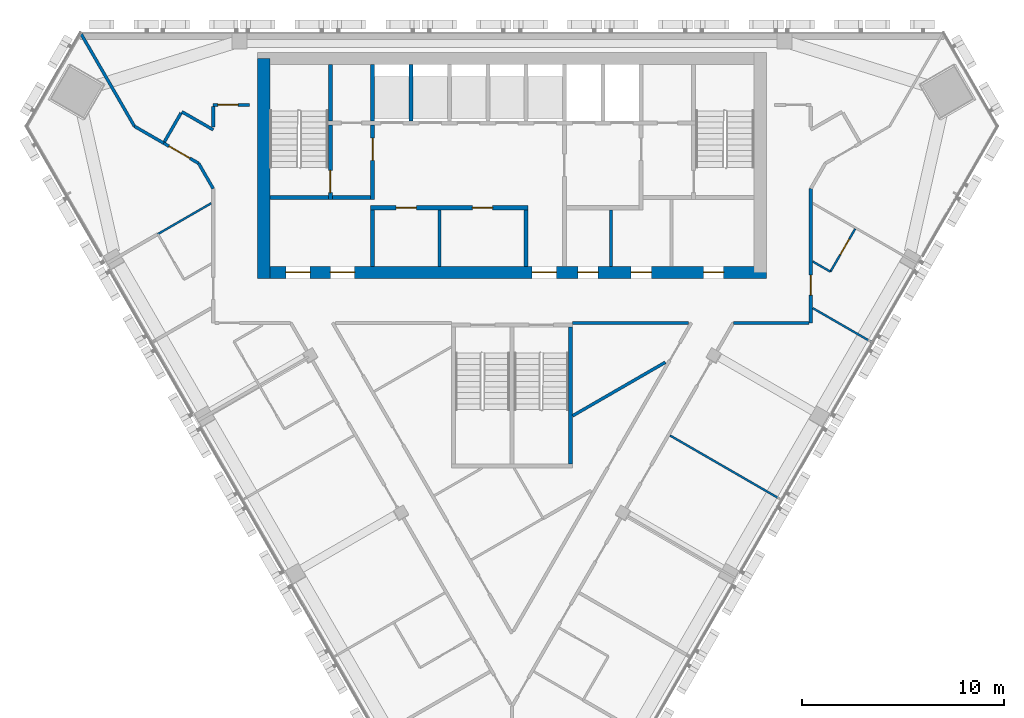
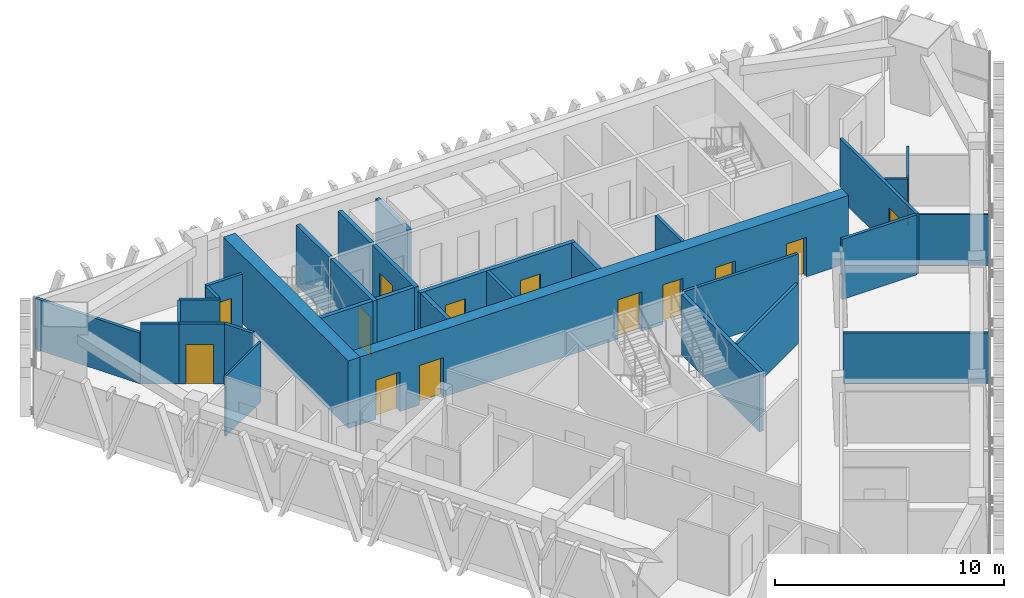
# One storey, part 9 of 14: 32 walls, 14 doors, 14 openings.
"""IFC4 building model written with IfcOpenShell, lengths in metres."""

from ifc_helpers import new_model, si_unit, direction, frame, frame_2d, origin, place, context, subcontext, project, spatial, rectangle, extrude, material, layer, layer_set, type_object, element, fill, save


model = new_model("IFC4")

# Units and contexts
model_context = context("Model", 3, precision=1e-05, world=origin(), true_north=direction((0.0, 1.0)))
body_context = subcontext(model_context, "Body", "Model", "MODEL_VIEW")
ifc_project = project(units=[si_unit("LENGTHUNIT", "METRE"), si_unit("AREAUNIT", "SQUARE_METRE"), si_unit("VOLUMEUNIT", "CUBIC_METRE"), si_unit("PLANEANGLEUNIT", "RADIAN"), si_unit("MASSUNIT", "GRAM", prefix="KILO")], contexts=[model_context])

# Site, building, storey
site_placement = place(None, origin())
site = spatial("IfcSite", under=ifc_project, at=site_placement, CompositionType="ELEMENT")
building_placement = place(site_placement, origin())
building = spatial("IfcBuilding", under=site, at=building_placement, Name="Altiplano Prism Tower", CompositionType="ELEMENT")
storey_placement = place(building_placement, frame((0.0, 0.0, 242.800048828125)))
storey = spatial("IfcBuildingStorey", under=building, at=storey_placement, Name="L62", CompositionType="ELEMENT", Elevation=242.800048828125)

# Wall, openings, doors
ifc_material_1 = material(Name="Concrete C60/75", Category="concrete")
ifc_layer_1 = layer(ifc_material_1, 0.60009765625)
ifc_layer_set_1 = layer_set([ifc_layer_1], Name="Concrete C60/75")
wall_type_1 = type_object("IfcWallType", Name="Core wall 600", PredefinedType="SHEAR", material=ifc_layer_set_1)
wall_1_placement = place(storey_placement, frame((72.699951171875, 93.10009765625, 0.0), z_axis=(0.0, 0.0, 1.0), x_axis=(1.0, 0.0, 0.0)))
wall_1 = element("IfcWall", 1, at=wall_1_placement, inside=storey, type_object=wall_type_1, Name="Core wall S L62", PredefinedType="SHEAR", context=body_context, shape_type="SweptSolid", body=[
    extrude(rectangle(XDim=24.900146484375, YDim=0.60009765625, at=frame_2d((12.4501953125, 0.0))), origin(), (0.0, 0.0, 1.0), 3.599853515625),
])
opening_1_placement = place(wall_1_placement, frame((1.10009765625, 0.0, 0.0)))
opening_1 = element("IfcOpeningElement", 2, at=opening_1_placement, cuts=wall_1, Name="Opening D3447", PredefinedType="OPENING", context=body_context, shape_type="SweptSolid", body=[
    extrude(rectangle(XDim=1.199951171875, YDim=2.10009765625, at=frame_2d((0.60009765625, 1.050048828125))), frame((0.0, 0.310546875, 0.0), z_axis=(0.0, -1.0, 0.0), x_axis=(1.0, 0.0, 0.0)), (0.0, 0.0, 1.0), 0.62109375),
])
opening_2_placement = place(wall_1_placement, frame((3.300048828125, 0.0, 0.0)))
opening_2 = element("IfcOpeningElement", 3, at=opening_2_placement, cuts=wall_1, Name="Opening D3448", PredefinedType="OPENING", context=body_context, shape_type="SweptSolid", body=[
    extrude(rectangle(XDim=1.199951171875, YDim=2.10009765625, at=frame_2d((0.60009765625, 1.050048828125))), frame((0.0, 0.310546875, 0.0), z_axis=(0.0, -1.0, 0.0), x_axis=(1.0, 0.0, 0.0)), (0.0, 0.0, 1.0), 0.62109375),
])
opening_3_placement = place(wall_1_placement, frame((13.300048828125, 0.0, 0.0)))
opening_3 = element("IfcOpeningElement", 4, at=opening_3_placement, cuts=wall_1, Name="Opening D3449", PredefinedType="OPENING", context=body_context, shape_type="SweptSolid", body=[
    extrude(rectangle(XDim=1.199951171875, YDim=2.10009765625, at=frame_2d((0.60009765625, 1.050048828125))), frame((0.0, 0.310546875, 0.0), z_axis=(0.0, -1.0, 0.0), x_axis=(1.0, 0.0, 0.0)), (0.0, 0.0, 1.0), 0.62109375),
])
opening_4_placement = place(wall_1_placement, frame((15.5625, 0.0, 0.0)))
opening_4 = element("IfcOpeningElement", 5, at=opening_4_placement, cuts=wall_1, Name="Opening D3452", PredefinedType="OPENING", context=body_context, shape_type="SweptSolid", body=[
    extrude(rectangle(XDim=1.0, YDim=2.10009765625, at=frame_2d((0.5, 1.050048828125))), frame((0.0, 0.310546875, 0.0), z_axis=(0.0, -1.0, 0.0), x_axis=(1.0, 0.0, 0.0)), (0.0, 0.0, 1.0), 0.62109375),
])
opening_5_placement = place(wall_1_placement, frame((18.199951171875, 0.0, 0.0)))
opening_5 = element("IfcOpeningElement", 6, at=opening_5_placement, cuts=wall_1, Name="Opening D3453", PredefinedType="OPENING", context=body_context, shape_type="SweptSolid", body=[
    extrude(rectangle(XDim=1.0, YDim=2.10009765625, at=frame_2d((0.5, 1.050048828125))), frame((0.0, 0.310546875, 0.0), z_axis=(0.0, -1.0, 0.0), x_axis=(1.0, 0.0, 0.0)), (0.0, 0.0, 1.0), 0.62109375),
])
opening_6_placement = place(wall_1_placement, frame((21.78759765625, 0.0, 0.0)))
opening_6 = element("IfcOpeningElement", 7, at=opening_6_placement, cuts=wall_1, Name="Opening D3454", PredefinedType="OPENING", context=body_context, shape_type="SweptSolid", body=[
    extrude(rectangle(XDim=1.0, YDim=2.10009765625, at=frame_2d((0.5, 1.050048828125))), frame((0.0, 0.310546875, 0.0), z_axis=(0.0, -1.0, 0.0), x_axis=(1.0, 0.0, 0.0)), (0.0, 0.0, 1.0), 0.62109375),
])
ifc_material_2 = material(Name="Fire-rated steel door", Category="steel")
door_type_1 = type_object("IfcDoorType", Name="Core room door 1000 x 2100", OperationType="NOTDEFINED", PredefinedType="NOTDEFINED", material=ifc_material_2)
door_1_placement = place(opening_4_placement, origin())
door_1 = element("IfcDoor", 8, at=door_1_placement, inside=storey, type_object=door_type_1, Name="Core room door D3452", OperationType="SINGLE_SWING_RIGHT", OverallHeight=2.10009765625, OverallWidth=1.0, PredefinedType="NOTDEFINED", context=body_context, shape_type="SweptSolid", body=[
    extrude(rectangle(XDim=1.0, YDim=2.10009765625, at=frame_2d((0.5, 1.050048828125))), frame((0.0, 0.02490234375, 0.0), z_axis=(0.0, -1.0, 0.0), x_axis=(1.0, 0.0, 0.0)), (0.0, 0.0, 1.0), 0.050048828125),
])
fill(opening_4, door_1)
door_2_placement = place(opening_5_placement, origin())
door_2 = element("IfcDoor", 9, at=door_2_placement, inside=storey, type_object=door_type_1, Name="Core room door D3453", OperationType="SINGLE_SWING_LEFT", OverallHeight=2.10009765625, OverallWidth=1.0, PredefinedType="NOTDEFINED", context=body_context, shape_type="SweptSolid", body=[
    extrude(rectangle(XDim=1.0, YDim=2.10009765625, at=frame_2d((0.5, 1.050048828125))), frame((0.0, 0.02490234375, 0.0), z_axis=(0.0, -1.0, 0.0), x_axis=(1.0, 0.0, 0.0)), (0.0, 0.0, 1.0), 0.050048828125),
])
fill(opening_5, door_2)
door_3_placement = place(opening_6_placement, origin())
door_3 = element("IfcDoor", 10, at=door_3_placement, inside=storey, type_object=door_type_1, Name="Core room door D3454", OperationType="SINGLE_SWING_RIGHT", OverallHeight=2.10009765625, OverallWidth=1.0, PredefinedType="NOTDEFINED", context=body_context, shape_type="SweptSolid", body=[
    extrude(rectangle(XDim=1.0, YDim=2.10009765625, at=frame_2d((0.5, 1.050048828125))), frame((0.0, 0.02490234375, 0.0), z_axis=(0.0, -1.0, 0.0), x_axis=(1.0, 0.0, 0.0)), (0.0, 0.0, 1.0), 0.050048828125),
])
fill(opening_6, door_3)
door_type_2 = type_object("IfcDoorType", Name="Lobby fire door 1200 x 2100", OperationType="NOTDEFINED", PredefinedType="NOTDEFINED", material=ifc_material_2)
door_4_placement = place(opening_1_placement, origin())
door_4 = element("IfcDoor", 11, at=door_4_placement, inside=storey, type_object=door_type_2, Name="Lobby fire door D3447", OperationType="SINGLE_SWING_RIGHT", OverallHeight=2.10009765625, OverallWidth=1.199951171875, PredefinedType="NOTDEFINED", context=body_context, shape_type="SweptSolid", body=[
    extrude(rectangle(XDim=1.199951171875, YDim=2.10009765625, at=frame_2d((0.60009765625, 1.050048828125))), frame((0.0, 0.02490234375, 0.0), z_axis=(0.0, -1.0, 0.0), x_axis=(1.0, 0.0, 0.0)), (0.0, 0.0, 1.0), 0.050048828125),
])
fill(opening_1, door_4)
door_5_placement = place(opening_2_placement, origin())
door_5 = element("IfcDoor", 12, at=door_5_placement, inside=storey, type_object=door_type_2, Name="Lobby fire door D3448", OperationType="SINGLE_SWING_LEFT", OverallHeight=2.10009765625, OverallWidth=1.199951171875, PredefinedType="NOTDEFINED", context=body_context, shape_type="SweptSolid", body=[
    extrude(rectangle(XDim=1.199951171875, YDim=2.10009765625, at=frame_2d((0.60009765625, 1.050048828125))), frame((0.0, 0.02490234375, 0.0), z_axis=(0.0, -1.0, 0.0), x_axis=(1.0, 0.0, 0.0)), (0.0, 0.0, 1.0), 0.050048828125),
])
fill(opening_2, door_5)
door_6_placement = place(opening_3_placement, origin())
door_6 = element("IfcDoor", 13, at=door_6_placement, inside=storey, type_object=door_type_2, Name="Lobby fire door D3449", OperationType="SINGLE_SWING_RIGHT", OverallHeight=2.10009765625, OverallWidth=1.199951171875, PredefinedType="NOTDEFINED", context=body_context, shape_type="SweptSolid", body=[
    extrude(rectangle(XDim=1.199951171875, YDim=2.10009765625, at=frame_2d((0.60009765625, 1.050048828125))), frame((0.0, 0.02490234375, 0.0), z_axis=(0.0, -1.0, 0.0), x_axis=(1.0, 0.0, 0.0)), (0.0, 0.0, 1.0), 0.050048828125),
])
fill(opening_3, door_6)

# Wall
wall_2_placement = place(storey_placement, frame((72.699951171875, 103.699951171875, 0.0), z_axis=(0.0, 0.0, 1.0), x_axis=(0.0, -1.0, 0.0)))
element("IfcWall", 14, at=wall_2_placement, inside=storey, type_object=wall_type_1, Name="Core wall W L62", PredefinedType="SHEAR", context=body_context, shape_type="SweptSolid", body=[
    extrude(rectangle(XDim=10.89990234375, YDim=0.60009765625, at=frame_2d((5.449951171875, 0.0))), origin(), (0.0, 0.0, 1.0), 3.599853515625),
])

# Wall, opening, door
ifc_material_3 = material(Name="Plasterboard on steel stud", Category="steel")
ifc_layer_2 = layer(ifc_material_3, 0.10009765625)
ifc_layer_set_2 = layer_set([ifc_layer_2], Name="Plasterboard on steel stud")
wall_type_2 = type_object("IfcWallType", Name="Partition 100 unit", PredefinedType="PARTITIONING", material=ifc_layer_set_2)
wall_3_placement = place(storey_placement, frame((101.9990234375, 95.253173828125, 0.0), z_axis=(0.0, 0.0, 1.0), x_axis=(-0.500018594424, -0.866014668023, 0.0)))
wall_3 = element("IfcWall", 15, at=wall_3_placement, inside=storey, type_object=wall_type_2, Name="Partition P02 L62 056", PredefinedType="PARTITIONING", context=body_context, shape_type="SweptSolid", body=[
    extrude(rectangle(XDim=2.4501953125, YDim=0.10009765625, at=frame_2d((1.22509765625, 0.0))), origin(), (0.0, 0.0, 1.0), 3.199951171875),
])
opening_7_placement = place(wall_3_placement, frame((0.5869140625, 0.0, 0.0)))
opening_7 = element("IfcOpeningElement", 16, at=opening_7_placement, cuts=wall_3, Name="Opening D2041", PredefinedType="OPENING", context=body_context, shape_type="SweptSolid", body=[
    extrude(rectangle(XDim=0.89990234375, YDim=2.10009765625, at=frame_2d((0.449951171875, 1.050048828125))), frame((0.0, 0.060546875, 0.0), z_axis=(0.0, -1.0, 0.0), x_axis=(1.0, 0.0, 0.0)), (0.0, 0.0, 1.0), 0.12109375),
])
ifc_material_4 = material(Name="Timber", Category="wood")
door_type_3 = type_object("IfcDoorType", Name="Ensuite door 900 x 2100", OperationType="NOTDEFINED", PredefinedType="NOTDEFINED", material=ifc_material_4)
door_7_placement = place(opening_7_placement, origin())
door_7 = element("IfcDoor", 17, at=door_7_placement, inside=storey, type_object=door_type_3, Name="Door D2041", OperationType="SINGLE_SWING_RIGHT", OverallHeight=2.10009765625, OverallWidth=0.89990234375, PredefinedType="NOTDEFINED", context=body_context, shape_type="SweptSolid", body=[
    extrude(rectangle(XDim=0.89990234375, YDim=2.10009765625, at=frame_2d((0.449951171875, 1.050048828125))), frame((0.0, 0.02490234375, 0.0), z_axis=(0.0, -1.0, 0.0), x_axis=(1.0, 0.0, 0.0)), (0.0, 0.0, 1.0), 0.050048828125),
])
fill(opening_7, door_7)

# Walls
wall_4_placement = place(storey_placement, frame((100.77392578125, 93.13134765625, 0.0), z_axis=(0.0, 0.0, 1.0), x_axis=(-0.866016391555, 0.500015609314, 0.0)))
element("IfcWall", 18, at=wall_4_placement, inside=storey, type_object=wall_type_2, Name="Partition P02 L62 057", PredefinedType="PARTITIONING", context=body_context, shape_type="SweptSolid", body=[
    extrude(rectangle(XDim=1.00927734375, YDim=0.10009765625, at=frame_2d((0.504638671875, 0.0))), origin(), (0.0, 0.0, 1.0), 3.199951171875),
])
ifc_layer_3 = layer(ifc_material_3, 0.10009765625)
ifc_layer_set_3 = layer_set([ifc_layer_3], Name="Plasterboard on steel stud")
wall_type_3 = type_object("IfcWallType", Name="Partition 100 wet", PredefinedType="PARTITIONING", material=ifc_layer_set_3)
wall_5_placement = place(storey_placement, frame((67.45654296875, 94.996337890625, 0.0), z_axis=(0.0, 0.0, 1.0), x_axis=(0.866009774538, 0.500027069672, 0.0)))
element("IfcWall", 19, at=wall_5_placement, inside=storey, type_object=wall_type_3, Name="Partition P03 L62 030", PredefinedType="PARTITIONING", context=body_context, shape_type="SweptSolid", body=[
    extrude(rectangle(XDim=3.052490234375, YDim=0.10009765625, at=frame_2d((1.5263671875, 0.0))), origin(), (0.0, 0.0, 1.0), 3.199951171875),
])
wall_6_placement = place(storey_placement, frame((98.322509765625, 81.844970703125, 0.0), z_axis=(0.0, 0.0, 1.0), x_axis=(-0.866025401434, 0.500000004071, 0.0)))
element("IfcWall", 20, at=wall_6_placement, inside=storey, type_object=wall_type_3, Name="Partition P03 L62 054", PredefinedType="PARTITIONING", context=body_context, shape_type="SweptSolid", body=[
    extrude(rectangle(XDim=6.34521484375, YDim=0.10009765625, at=frame_2d((3.172607421875, 0.0))), origin(), (0.0, 0.0, 1.0), 2.699951171875),
])
wall_7_placement = place(storey_placement, frame((102.822509765625, 89.63916015625, 0.0), z_axis=(0.0, 0.0, 1.0), x_axis=(-0.866039815758, 0.499975036898, 0.0)))
element("IfcWall", 21, at=wall_7_placement, inside=storey, type_object=wall_type_3, Name="Partition P03 L62 055", PredefinedType="PARTITIONING", context=body_context, shape_type="SweptSolid", body=[
    extrude(rectangle(XDim=3.374755859375, YDim=0.10009765625, at=frame_2d((1.6875, 0.0))), origin(), (0.0, 0.0, 1.0), 2.699951171875),
])
ifc_layer_4 = layer(ifc_material_3, 0.14990234375)
ifc_layer_set_4 = layer_set([ifc_layer_4], Name="Plasterboard on steel stud")
wall_type_4 = type_object("IfcWallType", Name="Partition 150 corridor", PredefinedType="PARTITIONING", material=ifc_layer_set_4)
wall_8_placement = place(storey_placement, frame((88.0, 90.59912109375, 0.0), z_axis=(0.0, 0.0, 1.0), x_axis=(0.999999985605, 0.000169678457, 0.0)))
element("IfcWall", 22, at=wall_8_placement, inside=storey, type_object=wall_type_4, Name="Partition P06 L62 002", PredefinedType="PARTITIONING", context=body_context, shape_type="SweptSolid", body=[
    extrude(rectangle(XDim=5.75537109375, YDim=0.14990234375, at=frame_2d((2.877685546875, 0.0))), origin(), (0.0, 0.0, 1.0), 3.199951171875),
])

# Wall, opening, door
wall_9_placement = place(storey_placement, frame((67.725830078125, 99.510009765625, 0.0), z_axis=(0.0, 0.0, 1.0), x_axis=(0.866010470582, -0.500025864173, 0.0)))
wall_9 = element("IfcWall", 23, at=wall_9_placement, inside=storey, type_object=wall_type_4, Name="Partition P06 L62 003", PredefinedType="PARTITIONING", context=body_context, shape_type="SweptSolid", body=[
    extrude(rectangle(XDim=2.02001953125, YDim=0.14990234375, at=frame_2d((1.010009765625, 0.0))), origin(), (0.0, 0.0, 1.0), 3.199951171875),
])
opening_8_placement = place(wall_9_placement, frame((0.321044921875, 0.0, 0.0)))
opening_8 = element("IfcOpeningElement", 24, at=opening_8_placement, cuts=wall_9, Name="Opening D2023", PredefinedType="OPENING", context=body_context, shape_type="SweptSolid", body=[
    extrude(rectangle(XDim=1.199951171875, YDim=2.10009765625, at=frame_2d((0.60009765625, 1.050048828125))), frame((0.0, 0.08544921875, 0.0), z_axis=(0.0, -1.0, 0.0), x_axis=(1.0, 0.0, 0.0)), (0.0, 0.0, 1.0), 0.1708984375),
])
door_type_4 = type_object("IfcDoorType", Name="Shared room door 1200 x 2100", OperationType="NOTDEFINED", PredefinedType="NOTDEFINED", material=ifc_material_4)
door_8_placement = place(opening_8_placement, origin())
door_8 = element("IfcDoor", 25, at=door_8_placement, inside=storey, type_object=door_type_4, Name="Door D2023", OperationType="SINGLE_SWING_RIGHT", OverallHeight=2.10009765625, OverallWidth=1.199951171875, PredefinedType="NOTDEFINED", context=body_context, shape_type="SweptSolid", body=[
    extrude(rectangle(XDim=1.199951171875, YDim=2.10009765625, at=frame_2d((0.60009765625, 1.050048828125))), frame((0.0, 0.02490234375, 0.0), z_axis=(0.0, -1.0, 0.0), x_axis=(1.0, 0.0, 0.0)), (0.0, 0.0, 1.0), 0.050048828125),
])
fill(opening_8, door_8)

# Walls
wall_10_placement = place(storey_placement, frame((69.47509765625, 98.5, 0.0), z_axis=(0.0, 0.0, 1.0), x_axis=(0.499960540515, -0.86604818453, 0.0)))
element("IfcWall", 26, at=wall_10_placement, inside=storey, type_object=wall_type_4, Name="Partition P06 L62 004", PredefinedType="PARTITIONING", context=body_context, shape_type="SweptSolid", body=[
    extrude(rectangle(XDim=1.44970703125, YDim=0.14990234375, at=frame_2d((0.724853515625, 0.0))), origin(), (0.0, 0.0, 1.0), 3.199951171875),
])
wall_11_placement = place(storey_placement, frame((95.9638671875, 90.60009765625, 0.0), z_axis=(0.0, 0.0, 1.0), x_axis=(1.0, 0.0, 0.0)))
element("IfcWall", 27, at=wall_11_placement, inside=storey, type_object=wall_type_4, Name="Partition P06 L62 009", PredefinedType="PARTITIONING", context=body_context, shape_type="SweptSolid", body=[
    extrude(rectangle(XDim=3.76123046875, YDim=0.14990234375, at=frame_2d((1.880615234375, 0.0))), origin(), (0.0, 0.0, 1.0), 3.199951171875),
])

# Wall, opening, door
wall_12_placement = place(storey_placement, frame((99.800048828125, 90.60009765625, 0.0), z_axis=(0.0, 0.0, 1.0), x_axis=(0.0, 1.0, 0.0)))
wall_12 = element("IfcWall", 28, at=wall_12_placement, inside=storey, type_object=wall_type_4, Name="Partition P06 L62 010", PredefinedType="PARTITIONING", context=body_context, shape_type="SweptSolid", body=[
    extrude(rectangle(XDim=6.644287109375, YDim=0.14990234375, at=frame_2d((3.322265625, 0.0))), origin(), (0.0, 0.0, 1.0), 3.199951171875),
])
opening_9_placement = place(wall_12_placement, frame((1.366943359375, 0.0, 0.0)))
opening_9 = element("IfcOpeningElement", 29, at=opening_9_placement, cuts=wall_12, Name="Opening D2040", PredefinedType="OPENING", context=body_context, shape_type="SweptSolid", body=[
    extrude(rectangle(XDim=1.0, YDim=2.10009765625, at=frame_2d((0.5, 1.050048828125))), frame((0.0, 0.08544921875, 0.0), z_axis=(0.0, -1.0, 0.0), x_axis=(1.0, 0.0, 0.0)), (0.0, 0.0, 1.0), 0.1708984375),
])
door_type_5 = type_object("IfcDoorType", Name="Bedroom entrance door 1000 x 2100", OperationType="NOTDEFINED", PredefinedType="NOTDEFINED", material=ifc_material_4)
door_9_placement = place(opening_9_placement, origin())
door_9 = element("IfcDoor", 30, at=door_9_placement, inside=storey, type_object=door_type_5, Name="Door D2040", OperationType="SINGLE_SWING_LEFT", OverallHeight=2.10009765625, OverallWidth=1.0, PredefinedType="NOTDEFINED", context=body_context, shape_type="SweptSolid", body=[
    extrude(rectangle(XDim=1.0, YDim=2.10009765625, at=frame_2d((0.5, 1.050048828125))), frame((0.0, 0.02490234375, 0.0), z_axis=(0.0, -1.0, 0.0), x_axis=(1.0, 0.0, 0.0)), (0.0, 0.0, 1.0), 0.050048828125),
])
fill(opening_9, door_9)

wall_13_placement = place(storey_placement, frame((72.0, 101.39990234375, 0.0), z_axis=(0.0, 0.0, 1.0), x_axis=(-1.0, 0.0, 0.0)))
wall_13 = element("IfcWall", 31, at=wall_13_placement, inside=storey, type_object=wall_type_4, Name="Partition P06 L62 013", PredefinedType="PARTITIONING", context=body_context, shape_type="SweptSolid", body=[
    extrude(rectangle(XDim=1.800048828125, YDim=0.14990234375, at=frame_2d((0.89990234375, 0.0))), origin(), (0.0, 0.0, 1.0), 3.199951171875),
])
opening_10_placement = place(wall_13_placement, frame((0.56591796875, 0.0, 0.0)))
opening_10 = element("IfcOpeningElement", 32, at=opening_10_placement, cuts=wall_13, Name="Opening D2043", PredefinedType="OPENING", context=body_context, shape_type="SweptSolid", body=[
    extrude(rectangle(XDim=1.0, YDim=2.10009765625, at=frame_2d((0.5, 1.050048828125))), frame((0.0, 0.08544921875, 0.0), z_axis=(0.0, -1.0, 0.0), x_axis=(1.0, 0.0, 0.0)), (0.0, 0.0, 1.0), 0.1708984375),
])
door_type_6 = type_object("IfcDoorType", Name="Store door 1000 x 2100", OperationType="NOTDEFINED", PredefinedType="NOTDEFINED", material=ifc_material_4)
door_10_placement = place(opening_10_placement, origin())
door_10 = element("IfcDoor", 33, at=door_10_placement, inside=storey, type_object=door_type_6, Name="Door D2043", OperationType="SINGLE_SWING_LEFT", OverallHeight=2.10009765625, OverallWidth=1.0, PredefinedType="NOTDEFINED", context=body_context, shape_type="SweptSolid", body=[
    extrude(rectangle(XDim=1.0, YDim=2.10009765625, at=frame_2d((0.5, 1.050048828125))), frame((0.0, 0.02490234375, 0.0), z_axis=(0.0, -1.0, 0.0), x_axis=(1.0, 0.0, 0.0)), (0.0, 0.0, 1.0), 0.050048828125),
])
fill(opening_10, door_10)

# Walls
wall_14_placement = place(storey_placement, frame((70.199951171875, 101.324951171875, 0.0), z_axis=(0.0, 0.0, 1.0), x_axis=(0.0, -1.0, 0.0)))
element("IfcWall", 34, at=wall_14_placement, inside=storey, type_object=wall_type_4, Name="Partition P06 L62 014", PredefinedType="PARTITIONING", context=body_context, shape_type="SweptSolid", body=[
    extrude(rectangle(XDim=1.03515625, YDim=0.14990234375, at=frame_2d((0.517578125, 0.0))), origin(), (0.0, 0.0, 1.0), 3.199951171875),
])
wall_15_placement = place(storey_placement, frame((70.199951171875, 100.159912109375, 0.0), z_axis=(0.0, 0.0, 1.0), x_axis=(-0.866011447264, 0.500024172624, 0.0)))
element("IfcWall", 35, at=wall_15_placement, inside=storey, type_object=wall_type_4, Name="Partition P06 L62 015", PredefinedType="PARTITIONING", context=body_context, shape_type="SweptSolid", body=[
    extrude(rectangle(XDim=1.7978515625, YDim=0.14990234375, at=frame_2d((0.89892578125, 0.0))), origin(), (0.0, 0.0, 1.0), 3.199951171875),
])
wall_16_placement = place(storey_placement, frame((68.60546875, 100.993896484375, 0.0), z_axis=(0.0, 0.0, 1.0), x_axis=(-0.499974350878, -0.866040211805, 0.0)))
element("IfcWall", 36, at=wall_16_placement, inside=storey, type_object=wall_type_4, Name="Partition P06 L62 016", PredefinedType="PARTITIONING", context=body_context, shape_type="SweptSolid", body=[
    extrude(rectangle(XDim=1.64990234375, YDim=0.14990234375, at=frame_2d((0.824951171875, 0.0))), origin(), (0.0, 0.0, 1.0), 3.199951171875),
])
ifc_layer_5 = layer(ifc_material_3, 0.14990234375)
ifc_layer_set_5 = layer_set([ifc_layer_5], Name="Plasterboard on steel stud")
wall_type_5 = type_object("IfcWallType", Name="Partition 150 party", PredefinedType="PARTITIONING", material=ifc_layer_set_5)
wall_17_placement = place(storey_placement, frame((88.0, 85.99072265625, 0.0), z_axis=(0.0, 0.0, 1.0), x_axis=(0.86602540409, 0.49999999947, 0.0)))
element("IfcWall", 37, at=wall_17_placement, inside=storey, type_object=wall_type_5, Name="Partition P01 L62 028", PredefinedType="PARTITIONING", context=body_context, shape_type="SweptSolid", body=[
    extrude(rectangle(XDim=5.3046875, YDim=0.14990234375, at=frame_2d((2.65234375, 0.0))), origin(), (0.0, 0.0, 1.0), 3.199951171875),
])
wall_18_placement = place(storey_placement, frame((67.7431640625, 99.5, 0.0), z_axis=(0.0, 0.0, 1.0), x_axis=(-0.866059082011, 0.499941663064, 0.0)))
element("IfcWall", 38, at=wall_18_placement, inside=storey, type_object=wall_type_5, Name="Partition P01 L62 031", PredefinedType="PARTITIONING", context=body_context, shape_type="SweptSolid", body=[
    extrude(rectangle(XDim=1.671142578125, YDim=0.14990234375, at=frame_2d((0.83544921875, 0.0))), origin(), (0.0, 0.0, 1.0), 3.199951171875),
])
wall_19_placement = place(storey_placement, frame((66.2958984375, 100.33544921875, 0.0), z_axis=(0.0, 0.0, 1.0), x_axis=(-0.499995114243, 0.866028224559, 0.0)))
element("IfcWall", 39, at=wall_19_placement, inside=storey, type_object=wall_type_5, Name="Partition P01 L62 032", PredefinedType="PARTITIONING", context=body_context, shape_type="SweptSolid", body=[
    extrude(rectangle(XDim=5.2705078125, YDim=0.14990234375, at=frame_2d((2.63525390625, 0.0))), origin(), (0.0, 0.0, 1.0), 2.699951171875),
])
ifc_material_5 = material(Name="Fire-rated gypsum board partition")
ifc_layer_6 = layer(ifc_material_5, 0.14990234375)
ifc_layer_set_6 = layer_set([ifc_layer_6], Name="Fire-rated gypsum board partition")
wall_type_6 = type_object("IfcWallType", Name="Room partition 150", PredefinedType="PARTITIONING", material=ifc_layer_set_6)
for number, where, z_axis, x_axis, name in (
    (40, (81.39990234375, 93.39990234375, 0.0), (0.0, 0.0, 1.0), (0.0, 1.0, 0.0), "Room partition L62"),
    (41, (89.89990234375, 93.39990234375, 0.0), (0.0, 0.0, 1.0), (0.0, 1.0, 0.0), "Room partition L62"),
):
    element("IfcWall", number, at=place(storey_placement, frame(where, z_axis=z_axis, x_axis=x_axis)), inside=storey, type_object=wall_type_6, Name=name, PredefinedType="PARTITIONING", context=body_context, shape_type="SweptSolid", body=[
        extrude(rectangle(XDim=2.800048828125, YDim=0.14990234375, at=frame_2d((1.39990234375, 0.0))), origin(), (0.0, 0.0, 1.0), 3.199951171875),
    ])
ifc_layer_7 = layer(ifc_material_1, 0.199951171875)
ifc_layer_set_7 = layer_set([ifc_layer_7], Name="Concrete C60/75")
wall_type_7 = type_object("IfcWallType", Name="Shaft wall 200", PredefinedType="SOLIDWALL", material=ifc_layer_set_7)
for number, where, z_axis, x_axis, name in (
    (42, (78.10009765625, 100.60009765625, 0.0), (0.0, 0.0, 1.0), (0.0, 1.0, 0.0), "Shaft wall L62"),
    (43, (80.0, 100.60009765625, 0.0), (0.0, 0.0, 1.0), (0.0, 1.0, 0.0), "Shaft wall L62"),
):
    element("IfcWall", number, at=place(storey_placement, frame(where, z_axis=z_axis, x_axis=x_axis)), inside=storey, type_object=wall_type_7, Name=name, PredefinedType="SOLIDWALL", context=body_context, shape_type="SweptSolid", body=[
        extrude(rectangle(XDim=2.7998046875, YDim=0.199951171875, at=frame_2d((1.39990234375, 0.0))), origin(), (0.0, 0.0, 1.0), 3.199951171875),
    ])
ifc_layer_8 = layer(ifc_material_1, 0.199951171875)
ifc_layer_set_8 = layer_set([ifc_layer_8], Name="Concrete C60/75")
wall_type_8 = type_object("IfcWallType", Name="Stair wall 200", PredefinedType="SOLIDWALL", material=ifc_layer_set_8)
wall_20_placement = place(storey_placement, frame((73.0, 96.800048828125, 0.0), z_axis=(0.0, 0.0, 1.0), x_axis=(1.0, 0.0, 0.0)))
element("IfcWall", 44, at=wall_20_placement, inside=storey, type_object=wall_type_8, Name="Stair wall L62", PredefinedType="SOLIDWALL", context=body_context, shape_type="SweptSolid", body=[
    extrude(rectangle(XDim=2.89990234375, YDim=0.199951171875, at=frame_2d((1.449951171875, 0.0))), origin(), (0.0, 0.0, 1.0), 3.199951171875),
])

# Wall, opening, door
wall_21_placement = place(storey_placement, frame((76.0, 96.699951171875, 0.0), z_axis=(0.0, 0.0, 1.0), x_axis=(0.0, 1.0, 0.0)))
wall_21 = element("IfcWall", 45, at=wall_21_placement, inside=storey, type_object=wall_type_8, Name="Stair wall L62", PredefinedType="SOLIDWALL", context=body_context, shape_type="SweptSolid", body=[
    extrude(rectangle(XDim=3.699951171875, YDim=0.199951171875, at=frame_2d((1.85009765625, 0.0))), origin(), (0.0, 0.0, 1.0), 3.199951171875),
])
opening_11_placement = place(wall_21_placement, frame((0.35009765625, 0.0, 0.0)))
opening_11 = element("IfcOpeningElement", 46, at=opening_11_placement, cuts=wall_21, Name="Opening D3442", PredefinedType="OPENING", context=body_context, shape_type="SweptSolid", body=[
    extrude(rectangle(XDim=1.10009765625, YDim=2.10009765625, at=frame_2d((0.550048828125, 1.050048828125))), frame((0.0, 0.1103515625, 0.0), z_axis=(0.0, -1.0, 0.0), x_axis=(1.0, 0.0, 0.0)), (0.0, 0.0, 1.0), 0.220947265625),
])
door_type_7 = type_object("IfcDoorType", Name="Stair fire door 1100 x 2100", OperationType="NOTDEFINED", PredefinedType="NOTDEFINED", material=ifc_material_2)
door_11_placement = place(opening_11_placement, origin())
door_11 = element("IfcDoor", 47, at=door_11_placement, inside=storey, type_object=door_type_7, Name="Stair fire door D3442", OperationType="SINGLE_SWING_RIGHT", OverallHeight=2.10009765625, OverallWidth=1.10009765625, PredefinedType="NOTDEFINED", context=body_context, shape_type="SweptSolid", body=[
    extrude(rectangle(XDim=1.10009765625, YDim=2.10009765625, at=frame_2d((0.550048828125, 1.050048828125))), frame((0.0, 0.02490234375, 0.0), z_axis=(0.0, -1.0, 0.0), x_axis=(1.0, 0.0, 0.0)), (0.0, 0.0, 1.0), 0.050048828125),
])
fill(opening_11, door_11)

# Walls
wall_22_placement = place(storey_placement, frame((76.0, 100.60009765625, 0.0), z_axis=(0.0, 0.0, 1.0), x_axis=(0.0, 1.0, 0.0)))
element("IfcWall", 48, at=wall_22_placement, inside=storey, type_object=wall_type_8, Name="Stair wall L62", PredefinedType="SOLIDWALL", context=body_context, shape_type="SweptSolid", body=[
    extrude(rectangle(XDim=2.7998046875, YDim=0.199951171875, at=frame_2d((1.39990234375, 0.0))), origin(), (0.0, 0.0, 1.0), 3.199951171875),
])
wall_23_placement = place(storey_placement, frame((87.89990234375, 83.60009765625, 0.0), z_axis=(0.0, 0.0, 1.0), x_axis=(0.0, 1.0, 0.0)))
element("IfcWall", 49, at=wall_23_placement, inside=storey, type_object=wall_type_8, Name="Stair 3 wall east L62", PredefinedType="SOLIDWALL", context=body_context, shape_type="SweptSolid", body=[
    extrude(rectangle(XDim=6.7998046875, YDim=0.199951171875, at=frame_2d((3.39990234375, 0.0))), origin(), (0.0, 0.0, 1.0), 3.199951171875),
])
ifc_layer_9 = layer(ifc_material_1, 0.199951171875)
ifc_layer_set_9 = layer_set([ifc_layer_9], Name="Concrete C60/75")
wall_type_9 = type_object("IfcWallType", Name="Vestibule wall 200", PredefinedType="PARTITIONING", material=ifc_layer_set_9)
for number, where, z_axis, x_axis, name in (
    (50, (78.10009765625, 93.39990234375, 0.0), (0.0, 0.0, 1.0), (0.0, 1.0, 0.0), "Vestibule wall L62"),
    (51, (85.699951171875, 93.39990234375, 0.0), (0.0, 0.0, 1.0), (0.0, 1.0, 0.0), "Vestibule wall L62"),
):
    element("IfcWall", number, at=place(storey_placement, frame(where, z_axis=z_axis, x_axis=x_axis)), inside=storey, type_object=wall_type_9, Name=name, PredefinedType="PARTITIONING", context=body_context, shape_type="SweptSolid", body=[
        extrude(rectangle(XDim=2.800048828125, YDim=0.199951171875, at=frame_2d((1.39990234375, 0.0))), origin(), (0.0, 0.0, 1.0), 3.199951171875),
    ])

# Wall, openings, doors
wall_24_placement = place(storey_placement, frame((78.0, 96.300048828125, 0.0), z_axis=(0.0, 0.0, 1.0), x_axis=(1.0, 0.0, 0.0)))
wall_24 = element("IfcWall", 52, at=wall_24_placement, inside=storey, type_object=wall_type_9, Name="Vestibule wall L62", PredefinedType="PARTITIONING", context=body_context, shape_type="SweptSolid", body=[
    extrude(rectangle(XDim=7.800048828125, YDim=0.199951171875, at=frame_2d((3.89990234375, 0.0))), origin(), (0.0, 0.0, 1.0), 3.199951171875),
])
opening_12_placement = place(wall_24_placement, frame((1.262451171875, 0.0, 0.0)))
opening_12 = element("IfcOpeningElement", 53, at=opening_12_placement, cuts=wall_24, Name="Opening D3455", PredefinedType="OPENING", context=body_context, shape_type="SweptSolid", body=[
    extrude(rectangle(XDim=1.0, YDim=2.10009765625, at=frame_2d((0.5, 1.050048828125))), frame((0.0, 0.1103515625, 0.0), z_axis=(0.0, -1.0, 0.0), x_axis=(1.0, 0.0, 0.0)), (0.0, 0.0, 1.0), 0.220947265625),
])
opening_13_placement = place(wall_24_placement, frame((5.03759765625, 0.0, 0.0)))
opening_13 = element("IfcOpeningElement", 54, at=opening_13_placement, cuts=wall_24, Name="Opening D3456", PredefinedType="OPENING", context=body_context, shape_type="SweptSolid", body=[
    extrude(rectangle(XDim=1.0, YDim=2.10009765625, at=frame_2d((0.5, 1.050048828125))), frame((0.0, 0.1103515625, 0.0), z_axis=(0.0, -1.0, 0.0), x_axis=(1.0, 0.0, 0.0)), (0.0, 0.0, 1.0), 0.220947265625),
])
door_12_placement = place(opening_12_placement, origin())
door_12 = element("IfcDoor", 55, at=door_12_placement, inside=storey, type_object=door_type_1, Name="Core room door D3455", OperationType="SINGLE_SWING_RIGHT", OverallHeight=2.10009765625, OverallWidth=1.0, PredefinedType="NOTDEFINED", context=body_context, shape_type="SweptSolid", body=[
    extrude(rectangle(XDim=1.0, YDim=2.10009765625, at=frame_2d((0.5, 1.050048828125))), frame((0.0, 0.02490234375, 0.0), z_axis=(0.0, -1.0, 0.0), x_axis=(1.0, 0.0, 0.0)), (0.0, 0.0, 1.0), 0.050048828125),
])
fill(opening_12, door_12)
door_13_placement = place(opening_13_placement, origin())
door_13 = element("IfcDoor", 56, at=door_13_placement, inside=storey, type_object=door_type_1, Name="Core room door D3456", OperationType="SINGLE_SWING_RIGHT", OverallHeight=2.10009765625, OverallWidth=1.0, PredefinedType="NOTDEFINED", context=body_context, shape_type="SweptSolid", body=[
    extrude(rectangle(XDim=1.0, YDim=2.10009765625, at=frame_2d((0.5, 1.050048828125))), frame((0.0, 0.02490234375, 0.0), z_axis=(0.0, -1.0, 0.0), x_axis=(1.0, 0.0, 0.0)), (0.0, 0.0, 1.0), 0.050048828125),
])
fill(opening_13, door_13)

# Wall
wall_25_placement = place(storey_placement, frame((76.10009765625, 96.800048828125, 0.0), z_axis=(0.0, 0.0, 1.0), x_axis=(1.0, 0.0, 0.0)))
element("IfcWall", 57, at=wall_25_placement, inside=storey, type_object=wall_type_9, Name="Vestibule wall L62", PredefinedType="PARTITIONING", context=body_context, shape_type="SweptSolid", body=[
    extrude(rectangle(XDim=1.89990234375, YDim=0.199951171875, at=frame_2d((0.949951171875, 0.0))), origin(), (0.0, 0.0, 1.0), 3.199951171875),
])

# Wall, opening, door
wall_26_placement = place(storey_placement, frame((78.10009765625, 96.699951171875, 0.0), z_axis=(0.0, 0.0, 1.0), x_axis=(0.0, 1.0, 0.0)))
wall_26 = element("IfcWall", 58, at=wall_26_placement, inside=storey, type_object=wall_type_9, Name="Vestibule wall L62", PredefinedType="PARTITIONING", context=body_context, shape_type="SweptSolid", body=[
    extrude(rectangle(XDim=3.699951171875, YDim=0.199951171875, at=frame_2d((1.85009765625, 0.0))), origin(), (0.0, 0.0, 1.0), 3.199951171875),
])
opening_14_placement = place(wall_26_placement, frame((1.949951171875, 0.0, 0.0)))
opening_14 = element("IfcOpeningElement", 59, at=opening_14_placement, cuts=wall_26, Name="Opening D3444", PredefinedType="OPENING", context=body_context, shape_type="SweptSolid", body=[
    extrude(rectangle(XDim=1.10009765625, YDim=2.10009765625, at=frame_2d((0.550048828125, 1.050048828125))), frame((0.0, 0.1103515625, 0.0), z_axis=(0.0, -1.0, 0.0), x_axis=(1.0, 0.0, 0.0)), (0.0, 0.0, 1.0), 0.220947265625),
])
door_type_8 = type_object("IfcDoorType", Name="Vestibule fire door 1100 x 2100", OperationType="NOTDEFINED", PredefinedType="NOTDEFINED", material=ifc_material_2)
door_14_placement = place(opening_14_placement, origin())
door_14 = element("IfcDoor", 60, at=door_14_placement, inside=storey, type_object=door_type_8, Name="Vestibule fire door D3444", OperationType="SINGLE_SWING_LEFT", OverallHeight=2.10009765625, OverallWidth=1.10009765625, PredefinedType="NOTDEFINED", context=body_context, shape_type="SweptSolid", body=[
    extrude(rectangle(XDim=1.10009765625, YDim=2.10009765625, at=frame_2d((0.550048828125, 1.050048828125))), frame((0.0, 0.02490234375, 0.0), z_axis=(0.0, -1.0, 0.0), x_axis=(1.0, 0.0, 0.0)), (0.0, 0.0, 1.0), 0.050048828125),
])
fill(opening_14, door_14)

save(model, "model.ifc")
